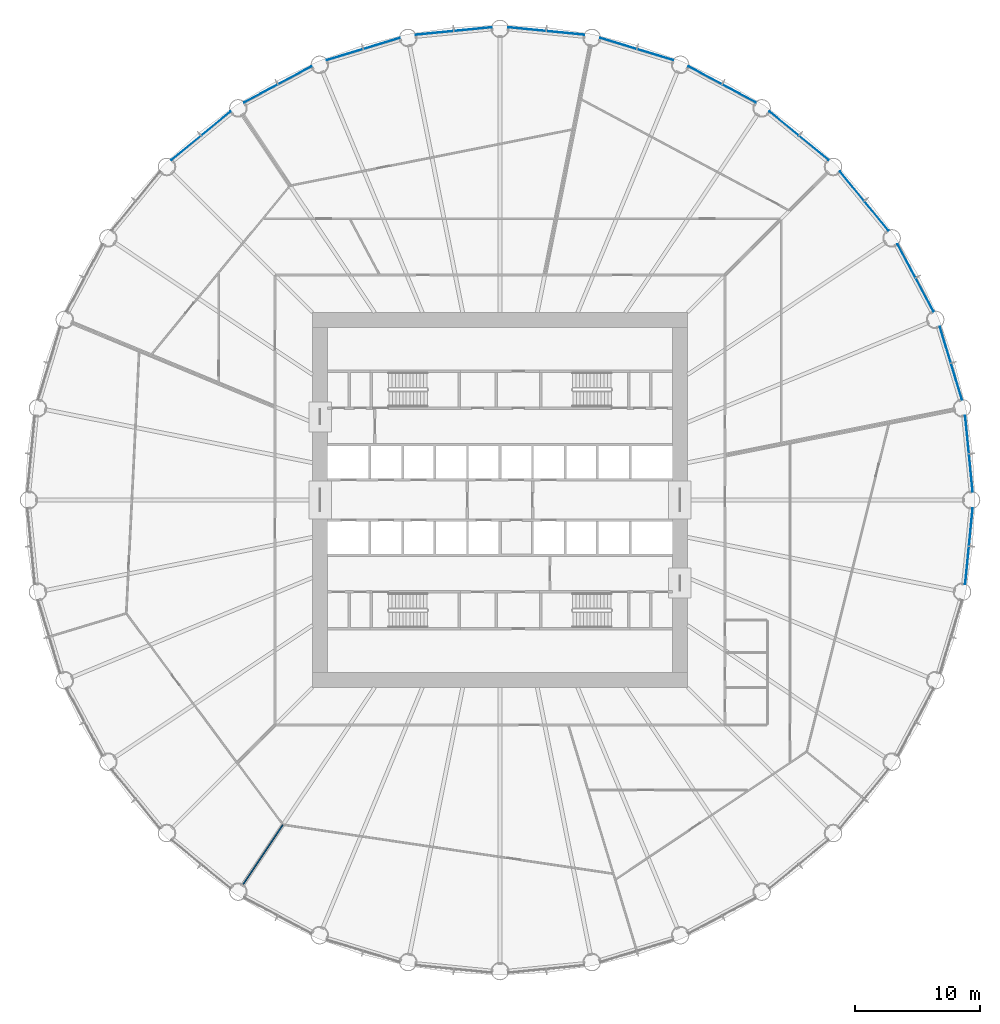
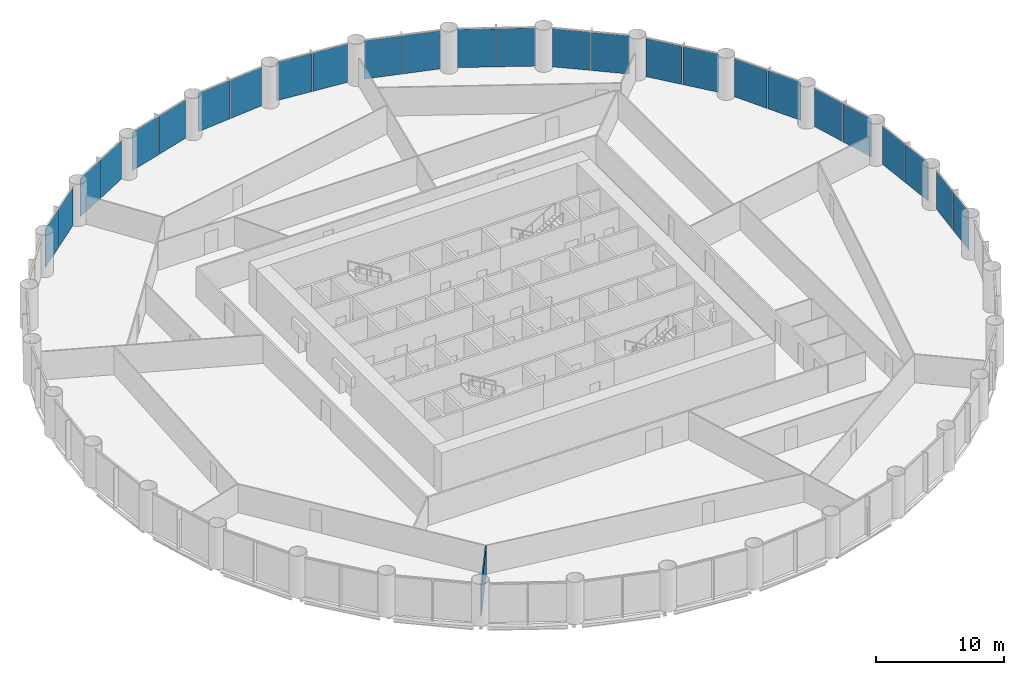
# One storey, part 9 of 15: 26 plates, 1 wall, 13 elements without a shape of their own.
"""IFC4 building model written with IfcOpenShell, lengths in metres."""

from ifc_helpers import new_model, si_unit, direction, frame, frame_2d, origin, origin_2d, place, context, subcontext, project, spatial, rectangle, extrude, material, layer, layer_set, type_object, element, aggregate, save


model = new_model("IFC4")

# Units and contexts
model_context = context("Model", 3, precision=1e-05, world=origin(), true_north=direction((0.0, 1.0)))
body_context = subcontext(model_context, "Body", "Model", "MODEL_VIEW")
ifc_project = project(units=[si_unit("LENGTHUNIT", "METRE"), si_unit("AREAUNIT", "SQUARE_METRE"), si_unit("VOLUMEUNIT", "CUBIC_METRE"), si_unit("PLANEANGLEUNIT", "RADIAN"), si_unit("MASSUNIT", "GRAM", prefix="KILO")], contexts=[model_context])

# Site, building, storey
site_placement = place(None, origin())
site = spatial("IfcSite", under=ifc_project, at=site_placement, CompositionType="ELEMENT")
building_placement = place(site_placement, origin())
building = spatial("IfcBuilding", under=site, at=building_placement, Name="Corvane Civic Tower", CompositionType="ELEMENT")
storey_placement = place(building_placement, frame((0.0, 0.0, 73.0)))
storey = spatial("IfcBuildingStorey", under=building, at=storey_placement, Name="L16", CompositionType="ELEMENT", Elevation=73.0)

# Curtain wall, plates
ifc_material_1 = material(Name="Anodised aluminium bronze", Category="aluminium")
curtain_wall_type = type_object("IfcCurtainWallType", Name="TOWER CW-T1 STICK CURTAIN WALL", PredefinedType="NOTDEFINED", material=ifc_material_1)
curtain_wall_1_placement = place(storey_placement, origin())
curtain_wall_1 = element("IfcCurtainWall", 1, at=curtain_wall_1_placement, inside=storey, type_object=curtain_wall_type, Name="Curtain wall CW-T1 L16 bay 01", PredefinedType="NOTDEFINED")
ifc_material_2 = material(Name="Tinted glass", Category="glass")
ifc_layer_1 = layer(ifc_material_2, 0.035888671875)
ifc_layer_set_1 = layer_set([ifc_layer_1], Name="Tinted glass")
plate_type = type_object("IfcPlateType", Name="TOWER CW-T1 PANEL IGU36", PredefinedType="CURTAIN_PANEL", material=ifc_layer_set_1)
plate_1_placement = place(storey_placement, frame((2.158203125, 37.667236328125, 0.0), z_axis=(0.0, 0.0, 1.0), x_axis=(0.995185800248, -0.098006239521, 0.0)))
plate_1 = element("IfcPlate", 2, at=plate_1_placement, type_object=plate_type, Name="Glass panel CW-T1 L16 01.1", PredefinedType="CURTAIN_PANEL", context=body_context, shape_type="SweptSolid", body=[
    extrude(rectangle(XDim=3.008544921875, YDim=0.035888671875, at=origin_2d()), origin(), (0.0, 0.0, 1.0), 3.6298828125),
])
plate_2_placement = place(storey_placement, frame((5.23193359375, 37.36474609375, 0.0), z_axis=(0.0, 0.0, 1.0), x_axis=(0.995185800248, -0.098006239521, 0.0)))
plate_2 = element("IfcPlate", 3, at=plate_2_placement, type_object=plate_type, Name="Glass panel CW-T1 L16 01.2", PredefinedType="CURTAIN_PANEL", context=body_context, shape_type="SweptSolid", body=[
    extrude(rectangle(XDim=3.008544921875, YDim=0.035888671875, at=origin_2d()), origin(), (0.0, 0.0, 1.0), 3.6298828125),
])
aggregate(curtain_wall_1, [plate_1, plate_2])

curtain_wall_2_placement = place(storey_placement, origin())
curtain_wall_2 = element("IfcCurtainWall", 4, at=curtain_wall_2_placement, inside=storey, type_object=curtain_wall_type, Name="Curtain wall CW-T1 L16 bay 02", PredefinedType="NOTDEFINED")
plate_3_placement = place(storey_placement, frame((9.46533203125, 36.522705078125, 0.0), z_axis=(0.0, 0.0, 1.0), x_axis=(0.956942240606, -0.290278397654, 0.0)))
plate_3 = element("IfcPlate", 5, at=plate_3_placement, type_object=plate_type, Name="Glass panel CW-T1 L16 02.1", PredefinedType="CURTAIN_PANEL", context=body_context, shape_type="SweptSolid", body=[
    extrude(rectangle(XDim=3.008544921875, YDim=0.035888671875, at=origin_2d()), origin(), (0.0, 0.0, 1.0), 3.6298828125),
])
plate_4_placement = place(storey_placement, frame((12.4208984375, 35.6259765625, 0.0), z_axis=(0.0, 0.0, 1.0), x_axis=(0.956942240606, -0.290278397654, 0.0)))
plate_4 = element("IfcPlate", 6, at=plate_4_placement, type_object=plate_type, Name="Glass panel CW-T1 L16 02.2", PredefinedType="CURTAIN_PANEL", context=body_context, shape_type="SweptSolid", body=[
    extrude(rectangle(XDim=3.008544921875, YDim=0.035888671875, at=origin_2d()), origin(), (0.0, 0.0, 1.0), 3.6298828125),
])
aggregate(curtain_wall_2, [plate_3, plate_4])

curtain_wall_3_placement = place(storey_placement, origin())
curtain_wall_3 = element("IfcCurtainWall", 7, at=curtain_wall_3_placement, inside=storey, type_object=curtain_wall_type, Name="Curtain wall CW-T1 L16 bay 03", PredefinedType="NOTDEFINED")
plate_5_placement = place(storey_placement, frame((16.40869140625, 33.974365234375, 0.0), z_axis=(0.0, 0.0, 1.0), x_axis=(0.881917528864, -0.471403725359, 0.0)))
plate_5 = element("IfcPlate", 8, at=plate_5_placement, type_object=plate_type, Name="Glass panel CW-T1 L16 03.1", PredefinedType="CURTAIN_PANEL", context=body_context, shape_type="SweptSolid", body=[
    extrude(rectangle(XDim=3.008544921875, YDim=0.035888671875, at=origin_2d()), origin(), (0.0, 0.0, 1.0), 3.6298828125),
])
plate_6_placement = place(storey_placement, frame((19.132568359375, 32.518310546875, 0.0), z_axis=(0.0, 0.0, 1.0), x_axis=(0.881917528864, -0.471403725359, 0.0)))
plate_6 = element("IfcPlate", 9, at=plate_6_placement, type_object=plate_type, Name="Glass panel CW-T1 L16 03.2", PredefinedType="CURTAIN_PANEL", context=body_context, shape_type="SweptSolid", body=[
    extrude(rectangle(XDim=3.008544921875, YDim=0.035888671875, at=origin_2d()), origin(), (0.0, 0.0, 1.0), 3.6298828125),
])
aggregate(curtain_wall_3, [plate_5, plate_6])

curtain_wall_4_placement = place(storey_placement, origin())
curtain_wall_4 = element("IfcCurtainWall", 10, at=curtain_wall_4_placement, inside=storey, type_object=curtain_wall_type, Name="Curtain wall CW-T1 L16 bay 04", PredefinedType="NOTDEFINED")
plate_7_placement = place(storey_placement, frame((22.721435546875, 30.120361328125, 0.0), z_axis=(0.0, 0.0, 1.0), x_axis=(0.773007224463, -0.634397218569, 0.0)))
plate_7 = element("IfcPlate", 11, at=plate_7_placement, type_object=plate_type, Name="Glass panel CW-T1 L16 04.1", PredefinedType="CURTAIN_PANEL", context=body_context, shape_type="SweptSolid", body=[
    extrude(rectangle(XDim=3.008544921875, YDim=0.035888671875, at=origin_2d()), origin(), (0.0, 0.0, 1.0), 3.6298828125),
])
plate_8_placement = place(storey_placement, frame((25.10888671875, 28.160888671875, 0.0), z_axis=(0.0, 0.0, 1.0), x_axis=(0.773007224463, -0.634397218569, 0.0)))
plate_8 = element("IfcPlate", 12, at=plate_8_placement, type_object=plate_type, Name="Glass panel CW-T1 L16 04.2", PredefinedType="CURTAIN_PANEL", context=body_context, shape_type="SweptSolid", body=[
    extrude(rectangle(XDim=3.008544921875, YDim=0.035888671875, at=origin_2d()), origin(), (0.0, 0.0, 1.0), 3.6298828125),
])
aggregate(curtain_wall_4, [plate_7, plate_8])

curtain_wall_5_placement = place(storey_placement, origin())
curtain_wall_5 = element("IfcCurtainWall", 13, at=curtain_wall_5_placement, inside=storey, type_object=curtain_wall_type, Name="Curtain wall CW-T1 L16 bay 05", PredefinedType="NOTDEFINED")
plate_9_placement = place(storey_placement, frame((28.160888671875, 25.10888671875, 0.0), z_axis=(0.0, 0.0, 1.0), x_axis=(0.634397218569, -0.773007224463, 0.0)))
plate_9 = element("IfcPlate", 14, at=plate_9_placement, type_object=plate_type, Name="Glass panel CW-T1 L16 05.1", PredefinedType="CURTAIN_PANEL", context=body_context, shape_type="SweptSolid", body=[
    extrude(rectangle(XDim=3.008544921875, YDim=0.035888671875, at=origin_2d()), origin(), (0.0, 0.0, 1.0), 3.6298828125),
])
plate_10_placement = place(storey_placement, frame((30.120361328125, 22.721435546875, 0.0), z_axis=(0.0, 0.0, 1.0), x_axis=(0.634397218569, -0.773007224463, 0.0)))
plate_10 = element("IfcPlate", 15, at=plate_10_placement, type_object=plate_type, Name="Glass panel CW-T1 L16 05.2", PredefinedType="CURTAIN_PANEL", context=body_context, shape_type="SweptSolid", body=[
    extrude(rectangle(XDim=3.008544921875, YDim=0.035888671875, at=origin_2d()), origin(), (0.0, 0.0, 1.0), 3.6298828125),
])
aggregate(curtain_wall_5, [plate_9, plate_10])

curtain_wall_6_placement = place(storey_placement, origin())
curtain_wall_6 = element("IfcCurtainWall", 16, at=curtain_wall_6_placement, inside=storey, type_object=curtain_wall_type, Name="Curtain wall CW-T1 L16 bay 06", PredefinedType="NOTDEFINED")
plate_11_placement = place(storey_placement, frame((32.518310546875, 19.132568359375, 0.0), z_axis=(0.0, 0.0, 1.0), x_axis=(0.471403725359, -0.881917528864, 0.0)))
plate_11 = element("IfcPlate", 17, at=plate_11_placement, type_object=plate_type, Name="Glass panel CW-T1 L16 06.1", PredefinedType="CURTAIN_PANEL", context=body_context, shape_type="SweptSolid", body=[
    extrude(rectangle(XDim=3.008544921875, YDim=0.035888671875, at=origin_2d()), origin(), (0.0, 0.0, 1.0), 3.6298828125),
])
plate_12_placement = place(storey_placement, frame((33.974365234375, 16.40869140625, 0.0), z_axis=(0.0, 0.0, 1.0), x_axis=(0.471403725359, -0.881917528864, 0.0)))
plate_12 = element("IfcPlate", 18, at=plate_12_placement, type_object=plate_type, Name="Glass panel CW-T1 L16 06.2", PredefinedType="CURTAIN_PANEL", context=body_context, shape_type="SweptSolid", body=[
    extrude(rectangle(XDim=3.008544921875, YDim=0.035888671875, at=origin_2d()), origin(), (0.0, 0.0, 1.0), 3.6298828125),
])
aggregate(curtain_wall_6, [plate_11, plate_12])

curtain_wall_7_placement = place(storey_placement, origin())
curtain_wall_7 = element("IfcCurtainWall", 19, at=curtain_wall_7_placement, inside=storey, type_object=curtain_wall_type, Name="Curtain wall CW-T1 L16 bay 07", PredefinedType="NOTDEFINED")
plate_13_placement = place(storey_placement, frame((35.6259765625, 12.4208984375, 0.0), z_axis=(0.0, 0.0, 1.0), x_axis=(0.290278397654, -0.956942240606, 0.0)))
plate_13 = element("IfcPlate", 20, at=plate_13_placement, type_object=plate_type, Name="Glass panel CW-T1 L16 07.1", PredefinedType="CURTAIN_PANEL", context=body_context, shape_type="SweptSolid", body=[
    extrude(rectangle(XDim=3.008544921875, YDim=0.035888671875, at=origin_2d()), origin(), (0.0, 0.0, 1.0), 3.6298828125),
])
plate_14_placement = place(storey_placement, frame((36.522705078125, 9.46533203125, 0.0), z_axis=(0.0, 0.0, 1.0), x_axis=(0.290278397654, -0.956942240606, 0.0)))
plate_14 = element("IfcPlate", 21, at=plate_14_placement, type_object=plate_type, Name="Glass panel CW-T1 L16 07.2", PredefinedType="CURTAIN_PANEL", context=body_context, shape_type="SweptSolid", body=[
    extrude(rectangle(XDim=3.008544921875, YDim=0.035888671875, at=origin_2d()), origin(), (0.0, 0.0, 1.0), 3.6298828125),
])
aggregate(curtain_wall_7, [plate_13, plate_14])

curtain_wall_8_placement = place(storey_placement, origin())
curtain_wall_8 = element("IfcCurtainWall", 22, at=curtain_wall_8_placement, inside=storey, type_object=curtain_wall_type, Name="Curtain wall CW-T1 L16 bay 08", PredefinedType="NOTDEFINED")
plate_15_placement = place(storey_placement, frame((37.36474609375, 5.23193359375, 0.0), z_axis=(0.0, 0.0, 1.0), x_axis=(0.098006239521, -0.995185800248, 0.0)))
plate_15 = element("IfcPlate", 23, at=plate_15_placement, type_object=plate_type, Name="Glass panel CW-T1 L16 08.1", PredefinedType="CURTAIN_PANEL", context=body_context, shape_type="SweptSolid", body=[
    extrude(rectangle(XDim=3.008544921875, YDim=0.035888671875, at=origin_2d()), origin(), (0.0, 0.0, 1.0), 3.6298828125),
])
plate_16_placement = place(storey_placement, frame((37.667236328125, 2.158203125, 0.0), z_axis=(0.0, 0.0, 1.0), x_axis=(0.098006239521, -0.995185800248, 0.0)))
plate_16 = element("IfcPlate", 24, at=plate_16_placement, type_object=plate_type, Name="Glass panel CW-T1 L16 08.2", PredefinedType="CURTAIN_PANEL", context=body_context, shape_type="SweptSolid", body=[
    extrude(rectangle(XDim=3.008544921875, YDim=0.035888671875, at=origin_2d()), origin(), (0.0, 0.0, 1.0), 3.6298828125),
])
aggregate(curtain_wall_8, [plate_15, plate_16])

curtain_wall_9_placement = place(storey_placement, origin())
curtain_wall_9 = element("IfcCurtainWall", 25, at=curtain_wall_9_placement, inside=storey, type_object=curtain_wall_type, Name="Curtain wall CW-T1 L16 bay 09", PredefinedType="NOTDEFINED")
plate_17_placement = place(storey_placement, frame((37.667236328125, -2.158203125, 0.0), z_axis=(0.0, 0.0, 1.0), x_axis=(-0.098006239521, -0.995185800248, 0.0)))
plate_17 = element("IfcPlate", 26, at=plate_17_placement, type_object=plate_type, Name="Glass panel CW-T1 L16 09.1", PredefinedType="CURTAIN_PANEL", context=body_context, shape_type="SweptSolid", body=[
    extrude(rectangle(XDim=3.008544921875, YDim=0.035888671875, at=origin_2d()), origin(), (0.0, 0.0, 1.0), 3.6298828125),
])
plate_18_placement = place(storey_placement, frame((37.36474609375, -5.23193359375, 0.0), z_axis=(0.0, 0.0, 1.0), x_axis=(-0.098006239521, -0.995185800248, 0.0)))
plate_18 = element("IfcPlate", 27, at=plate_18_placement, type_object=plate_type, Name="Glass panel CW-T1 L16 09.2", PredefinedType="CURTAIN_PANEL", context=body_context, shape_type="SweptSolid", body=[
    extrude(rectangle(XDim=3.008544921875, YDim=0.035888671875, at=origin_2d()), origin(), (0.0, 0.0, 1.0), 3.6298828125),
])
aggregate(curtain_wall_9, [plate_17, plate_18])

curtain_wall_10_placement = place(storey_placement, origin())
curtain_wall_10 = element("IfcCurtainWall", 28, at=curtain_wall_10_placement, inside=storey, type_object=curtain_wall_type, Name="Curtain wall CW-T1 L16 bay 29", PredefinedType="NOTDEFINED")
plate_19_placement = place(storey_placement, frame((-25.10888671875, 28.160888671875, 0.0), z_axis=(0.0, 0.0, 1.0), x_axis=(0.773007224463, 0.634397218569, 0.0)))
plate_19 = element("IfcPlate", 29, at=plate_19_placement, type_object=plate_type, Name="Glass panel CW-T1 L16 29.1", PredefinedType="CURTAIN_PANEL", context=body_context, shape_type="SweptSolid", body=[
    extrude(rectangle(XDim=3.008544921875, YDim=0.035888671875, at=origin_2d()), origin(), (0.0, 0.0, 1.0), 3.6298828125),
])
plate_20_placement = place(storey_placement, frame((-22.721435546875, 30.120361328125, 0.0), z_axis=(0.0, 0.0, 1.0), x_axis=(0.773007224463, 0.634397218569, 0.0)))
plate_20 = element("IfcPlate", 30, at=plate_20_placement, type_object=plate_type, Name="Glass panel CW-T1 L16 29.2", PredefinedType="CURTAIN_PANEL", context=body_context, shape_type="SweptSolid", body=[
    extrude(rectangle(XDim=3.008544921875, YDim=0.035888671875, at=origin_2d()), origin(), (0.0, 0.0, 1.0), 3.6298828125),
])
aggregate(curtain_wall_10, [plate_19, plate_20])

curtain_wall_11_placement = place(storey_placement, origin())
curtain_wall_11 = element("IfcCurtainWall", 31, at=curtain_wall_11_placement, inside=storey, type_object=curtain_wall_type, Name="Curtain wall CW-T1 L16 bay 30", PredefinedType="NOTDEFINED")
plate_21_placement = place(storey_placement, frame((-19.132568359375, 32.518310546875, 0.0), z_axis=(0.0, 0.0, 1.0), x_axis=(0.881917528864, 0.471403725359, 0.0)))
plate_21 = element("IfcPlate", 32, at=plate_21_placement, type_object=plate_type, Name="Glass panel CW-T1 L16 30.1", PredefinedType="CURTAIN_PANEL", context=body_context, shape_type="SweptSolid", body=[
    extrude(rectangle(XDim=3.008544921875, YDim=0.035888671875, at=origin_2d()), origin(), (0.0, 0.0, 1.0), 3.6298828125),
])
plate_22_placement = place(storey_placement, frame((-16.40869140625, 33.974365234375, 0.0), z_axis=(0.0, 0.0, 1.0), x_axis=(0.881917528864, 0.471403725359, 0.0)))
plate_22 = element("IfcPlate", 33, at=plate_22_placement, type_object=plate_type, Name="Glass panel CW-T1 L16 30.2", PredefinedType="CURTAIN_PANEL", context=body_context, shape_type="SweptSolid", body=[
    extrude(rectangle(XDim=3.008544921875, YDim=0.035888671875, at=origin_2d()), origin(), (0.0, 0.0, 1.0), 3.6298828125),
])
aggregate(curtain_wall_11, [plate_21, plate_22])

curtain_wall_12_placement = place(storey_placement, origin())
curtain_wall_12 = element("IfcCurtainWall", 34, at=curtain_wall_12_placement, inside=storey, type_object=curtain_wall_type, Name="Curtain wall CW-T1 L16 bay 31", PredefinedType="NOTDEFINED")
plate_23_placement = place(storey_placement, frame((-12.4208984375, 35.6259765625, 0.0), z_axis=(0.0, 0.0, 1.0), x_axis=(0.956942240606, 0.290278397654, 0.0)))
plate_23 = element("IfcPlate", 35, at=plate_23_placement, type_object=plate_type, Name="Glass panel CW-T1 L16 31.1", PredefinedType="CURTAIN_PANEL", context=body_context, shape_type="SweptSolid", body=[
    extrude(rectangle(XDim=3.008544921875, YDim=0.035888671875, at=origin_2d()), origin(), (0.0, 0.0, 1.0), 3.6298828125),
])
plate_24_placement = place(storey_placement, frame((-9.46533203125, 36.522705078125, 0.0), z_axis=(0.0, 0.0, 1.0), x_axis=(0.956942240606, 0.290278397654, 0.0)))
plate_24 = element("IfcPlate", 36, at=plate_24_placement, type_object=plate_type, Name="Glass panel CW-T1 L16 31.2", PredefinedType="CURTAIN_PANEL", context=body_context, shape_type="SweptSolid", body=[
    extrude(rectangle(XDim=3.008544921875, YDim=0.035888671875, at=origin_2d()), origin(), (0.0, 0.0, 1.0), 3.6298828125),
])
aggregate(curtain_wall_12, [plate_23, plate_24])

curtain_wall_13_placement = place(storey_placement, origin())
curtain_wall_13 = element("IfcCurtainWall", 37, at=curtain_wall_13_placement, inside=storey, type_object=curtain_wall_type, Name="Curtain wall CW-T1 L16 bay 32", PredefinedType="NOTDEFINED")
plate_25_placement = place(storey_placement, frame((-5.23193359375, 37.36474609375, 0.0), z_axis=(0.0, 0.0, 1.0), x_axis=(0.995185800248, 0.098006239521, 0.0)))
plate_25 = element("IfcPlate", 38, at=plate_25_placement, type_object=plate_type, Name="Glass panel CW-T1 L16 32.1", PredefinedType="CURTAIN_PANEL", context=body_context, shape_type="SweptSolid", body=[
    extrude(rectangle(XDim=3.008544921875, YDim=0.035888671875, at=origin_2d()), origin(), (0.0, 0.0, 1.0), 3.6298828125),
])
plate_26_placement = place(storey_placement, frame((-2.158203125, 37.667236328125, 0.0), z_axis=(0.0, 0.0, 1.0), x_axis=(0.995185800248, 0.098006239521, 0.0)))
plate_26 = element("IfcPlate", 39, at=plate_26_placement, type_object=plate_type, Name="Glass panel CW-T1 L16 32.2", PredefinedType="CURTAIN_PANEL", context=body_context, shape_type="SweptSolid", body=[
    extrude(rectangle(XDim=3.008544921875, YDim=0.035888671875, at=origin_2d()), origin(), (0.0, 0.0, 1.0), 3.6298828125),
])
aggregate(curtain_wall_13, [plate_25, plate_26])

# Wall
ifc_material_3 = material(Name="Plasterboard")
ifc_layer_2 = layer(ifc_material_3, 0.10009765625)
ifc_layer_set_2 = layer_set([ifc_layer_2], Name="Plasterboard")
wall_type = type_object("IfcWallType", Name="Partition 100 plasterboard on studs", PredefinedType="PARTITIONING", material=ifc_layer_set_2)
wall_placement = place(storey_placement, frame((-20.550537109375, -30.756103515625, 0.0), z_axis=(0.0, 0.0, 1.0), x_axis=(0.555567763651, 0.831471262277, 0.0)))
element("IfcWall", 40, at=wall_placement, inside=storey, type_object=wall_type, Name="Partition L16.002", PredefinedType="PARTITIONING", context=body_context, shape_type="SweptSolid", body=[
    extrude(rectangle(XDim=5.712646484375, YDim=0.10009765625, at=frame_2d((2.8564453125, 0.0))), origin(), (0.0, 0.0, 1.0), 2.699951171875),
])

save(model, "model.ifc")
